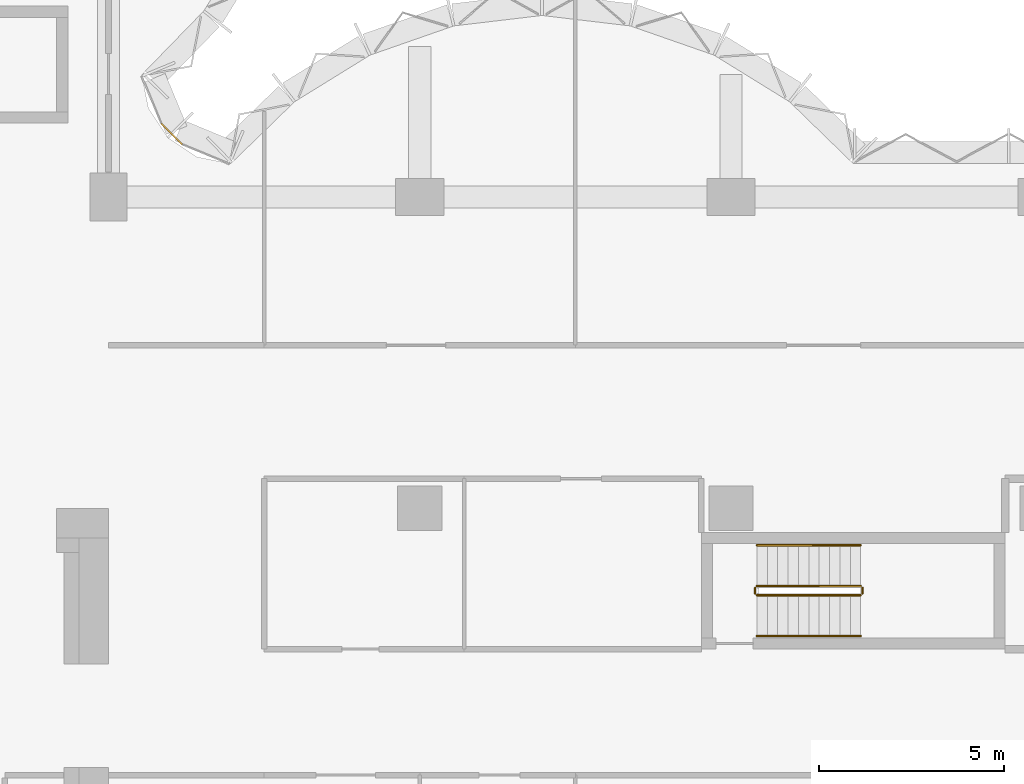
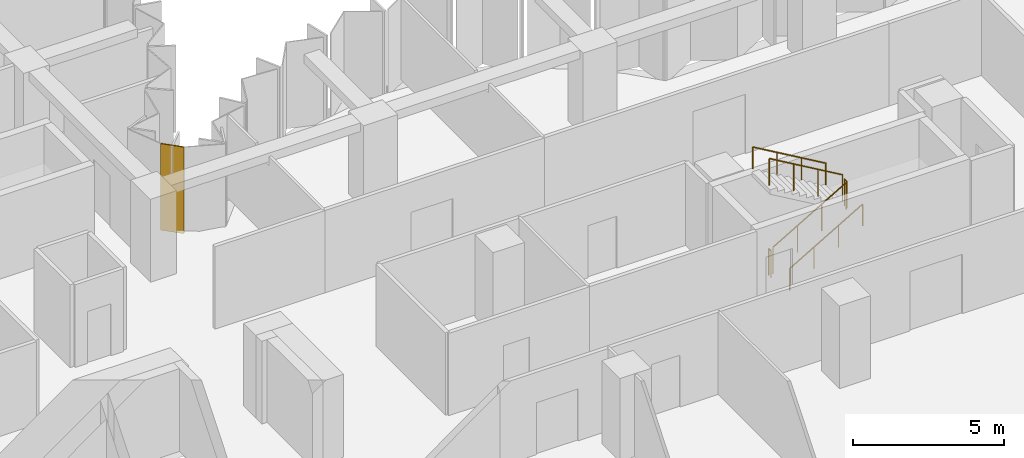
# One storey, part 13 of 13: 6 railings, 1 covering, 1 element without a shape of its own.
"""IFC4 building model written with IfcOpenShell, lengths in metres."""

from ifc_helpers import new_model, si_unit, direction, frame, origin, origin_2d, place, context, subcontext, project, spatial, polyline, circle, outline, extrude, material, layer, layer_set, type_object, element, aggregate, save


model = new_model("IFC4")

# Units and contexts
model_context = context("Model", 3, precision=1e-05, world=origin(), true_north=direction((0.0, 1.0)))
body_context = subcontext(model_context, "Body", "Model", "MODEL_VIEW")
ifc_project = project(units=[si_unit("LENGTHUNIT", "METRE"), si_unit("AREAUNIT", "SQUARE_METRE"), si_unit("VOLUMEUNIT", "CUBIC_METRE"), si_unit("PLANEANGLEUNIT", "RADIAN"), si_unit("MASSUNIT", "GRAM", prefix="KILO")], contexts=[model_context])

# Site, building, storey
site_placement = place(None, origin())
site = spatial("IfcSite", under=ifc_project, at=site_placement, CompositionType="ELEMENT")
building_placement = place(site_placement, origin())
building = spatial("IfcBuilding", under=site, at=building_placement, Name="Brevane Broadcast Tower", CompositionType="ELEMENT")
storey_placement = place(building_placement, frame((0.0, 0.0, 91.699951171875)))
storey = spatial("IfcBuildingStorey", under=building, at=storey_placement, Name="L21", CompositionType="ELEMENT", Elevation=91.699951171875)

# Railings
ifc_material_1 = material(Name="Steel S355", Category="steel")
railing_type_1 = type_object("IfcRailingType", Name="Exit stair guard", PredefinedType="GUARDRAIL", material=ifc_material_1)
railing_1_placement = place(storey_placement, frame((42.699951171875, 14.449951171875, 0.16357421875)))
element("IfcRailing", 1, at=railing_1_placement, inside=storey, type_object=railing_type_1, Name="L21 ST-4 stair guard 1", PredefinedType="GUARDRAIL", context=body_context, shape_type="SweptSolid", body=[
    extrude(circle(Radius=0.02392578125, at=origin_2d()), frame((0.0, 0.0, 1.076171875), z_axis=(0.863360870873, 0.0, 0.504586966384), x_axis=(0.0, 1.0, 0.0)), (0.0, 0.0, 1.0), 3.2431640625),
    extrude(circle(Radius=0.02099609375, at=origin_2d()), origin(), (0.0, 0.0, 1.0), 1.052001953125),
    extrude(circle(Radius=0.02099609375, at=origin_2d()), frame((0.933349609375, 0.0, 0.54541015625)), (0.0, 0.0, 1.0), 1.052001953125),
    extrude(circle(Radius=0.02099609375, at=origin_2d()), frame((1.86669921875, 0.0, 1.091064453125)), (0.0, 0.0, 1.0), 1.052001953125),
    extrude(circle(Radius=0.02099609375, at=origin_2d()), frame((2.800048828125, 0.0, 1.636474609375)), (0.0, 0.0, 1.0), 1.052001953125),
])
railing_2_placement = place(storey_placement, frame((45.550048828125, 14.5, 1.800048828125)))
element("IfcRailing", 2, at=railing_2_placement, inside=storey, type_object=railing_type_1, Name="L21 ST-4 stair guard 2", PredefinedType="GUARDRAIL", context=body_context, shape_type="SweptSolid", body=[
    extrude(circle(Radius=0.02392578125, at=origin_2d()), frame((0.0, 0.0, 1.076171875), z_axis=(0.0, 1.0, 0.0), x_axis=(-1.0, 0.0, 0.0)), (0.0, 0.0, 1.0), 0.14990234375),
    extrude(circle(Radius=0.02099609375, at=origin_2d()), origin(), (0.0, 0.0, 1.0), 1.052001953125),
    extrude(circle(Radius=0.02099609375, at=origin_2d()), frame((0.0, 0.14990234375, 0.0)), (0.0, 0.0, 1.0), 1.052001953125),
])
railing_3_placement = place(storey_placement, frame((45.5, 14.699951171875, 1.963623046875)))
element("IfcRailing", 3, at=railing_3_placement, inside=storey, type_object=railing_type_1, Name="L21 ST-4 stair guard 3", PredefinedType="GUARDRAIL", context=body_context, shape_type="SweptSolid", body=[
    extrude(circle(Radius=0.02392578125, at=origin_2d()), frame((0.0, 0.0, 1.076171875), z_axis=(-0.863360870873, 0.0, 0.504586966384), x_axis=(0.0, -1.0, 0.0)), (0.0, 0.0, 1.0), 3.2431640625),
    extrude(circle(Radius=0.02099609375, at=origin_2d()), origin(), (0.0, 0.0, 1.0), 1.052001953125),
    extrude(circle(Radius=0.02099609375, at=origin_2d()), frame((-0.933349609375, 0.0, 0.54541015625)), (0.0, 0.0, 1.0), 1.052001953125),
    extrude(circle(Radius=0.02099609375, at=origin_2d()), frame((-1.86669921875, 0.0, 1.091064453125)), (0.0, 0.0, 1.0), 1.052001953125),
    extrude(circle(Radius=0.02099609375, at=origin_2d()), frame((-2.800048828125, 0.0, 1.636474609375)), (0.0, 0.0, 1.0), 1.052001953125),
])
railing_4_placement = place(storey_placement, frame((42.64990234375, 14.5, 0.0)))
element("IfcRailing", 4, at=railing_4_placement, inside=storey, type_object=railing_type_1, Name="L21 ST-4 stair guard 4", PredefinedType="GUARDRAIL", context=body_context, shape_type="SweptSolid", body=[
    extrude(circle(Radius=0.02392578125, at=origin_2d()), frame((0.0, 0.0, 1.076171875), z_axis=(0.0, 1.0, 0.0), x_axis=(-1.0, 0.0, 0.0)), (0.0, 0.0, 1.0), 0.14990234375),
    extrude(circle(Radius=0.02099609375, at=origin_2d()), origin(), (0.0, 0.0, 1.0), 1.052001953125),
    extrude(circle(Radius=0.02099609375, at=origin_2d()), frame((0.0, 0.14990234375, 0.0)), (0.0, 0.0, 1.0), 1.052001953125),
])
railing_type_2 = type_object("IfcRailingType", Name="Exit stair handrail", PredefinedType="HANDRAIL", material=ifc_material_1)
railing_5_placement = place(storey_placement, frame((42.699951171875, 13.35009765625, 0.16357421875)))
element("IfcRailing", 5, at=railing_5_placement, inside=storey, type_object=railing_type_2, Name="L21 ST-4 stair handrail 1", PredefinedType="HANDRAIL", context=body_context, shape_type="SweptSolid", body=[
    extrude(circle(Radius=0.02392578125, at=origin_2d()), frame((0.0, 0.0, 0.8759765625), z_axis=(0.863360870873, 0.0, 0.504586966384), x_axis=(0.0, 1.0, 0.0)), (0.0, 0.0, 1.0), 3.2431640625),
    extrude(circle(Radius=0.02099609375, at=origin_2d()), origin(), (0.0, 0.0, 1.0), 0.851806640625),
    extrude(circle(Radius=0.02099609375, at=origin_2d()), frame((0.933349609375, 0.0, 0.54541015625)), (0.0, 0.0, 1.0), 0.851806640625),
    extrude(circle(Radius=0.02099609375, at=origin_2d()), frame((1.86669921875, 0.0, 1.091064453125)), (0.0, 0.0, 1.0), 0.851806640625),
    extrude(circle(Radius=0.02099609375, at=origin_2d()), frame((2.800048828125, 0.0, 1.636474609375)), (0.0, 0.0, 1.0), 0.851806640625),
])
railing_6_placement = place(storey_placement, frame((45.5, 15.800048828125, 1.963623046875)))
element("IfcRailing", 6, at=railing_6_placement, inside=storey, type_object=railing_type_2, Name="L21 ST-4 stair handrail 2", PredefinedType="HANDRAIL", context=body_context, shape_type="SweptSolid", body=[
    extrude(circle(Radius=0.02392578125, at=origin_2d()), frame((0.0, 0.0, 0.8759765625), z_axis=(-0.863360870873, 0.0, 0.504586966384), x_axis=(0.0, -1.0, 0.0)), (0.0, 0.0, 1.0), 3.2431640625),
    extrude(circle(Radius=0.02099609375, at=origin_2d()), origin(), (0.0, 0.0, 1.0), 0.851806640625),
    extrude(circle(Radius=0.02099609375, at=origin_2d()), frame((-0.933349609375, 0.0, 0.54541015625)), (0.0, 0.0, 1.0), 0.851806640625),
    extrude(circle(Radius=0.02099609375, at=origin_2d()), frame((-1.86669921875, 0.0, 1.091064453125)), (0.0, 0.0, 1.0), 0.851806640625),
    extrude(circle(Radius=0.02099609375, at=origin_2d()), frame((-2.800048828125, 0.0, 1.636474609375)), (0.0, 0.0, 1.0), 0.851806640625),
])

# Curtain wall, covering
ifc_material_2 = material(Name="Aluminium 6063-T6 bronze anodised", Category="aluminium")
curtain_wall_type = type_object("IfcCurtainWallType", Name="CW-1 curtain wall", PredefinedType="NOTDEFINED", material=ifc_material_2)
curtain_wall_placement = place(storey_placement, origin())
curtain_wall = element("IfcCurtainWall", 7, at=curtain_wall_placement, inside=storey, type_object=curtain_wall_type, Name="CW-1 typical tilted unit L21 inner corner", PredefinedType="NOTDEFINED")
ifc_material_3 = material(Name="Back-painted bronze glass shadow-box", Category="glass")
ifc_layer = layer(ifc_material_3, 0.0400390625)
ifc_layer_set = layer_set([ifc_layer], Name="Shadow-box panel 40")
covering_type = type_object("IfcCoveringType", Name="Shadow-box panel 40", PredefinedType="CLADDING", material=ifc_layer_set)
covering_placement = place(storey_placement, frame((0.0, 0.0, -0.14990234375)))
covering = element("IfcCovering", 8, at=covering_placement, type_object=covering_type, Name="Closure panel", PredefinedType="CLADDING", context=body_context, shape_type="SweptSolid", body=[
    extrude(outline(polyline([(27.17138671875, 26.60498046875), (27.2021484375, 26.635498046875), (26.635498046875, 27.2021484375), (26.60498046875, 27.17138671875), (27.17138671875, 26.60498046875)])), origin(), (0.0, 0.0, 1.0), 3.5),
])
aggregate(curtain_wall, [covering])

save(model, "model.ifc")
